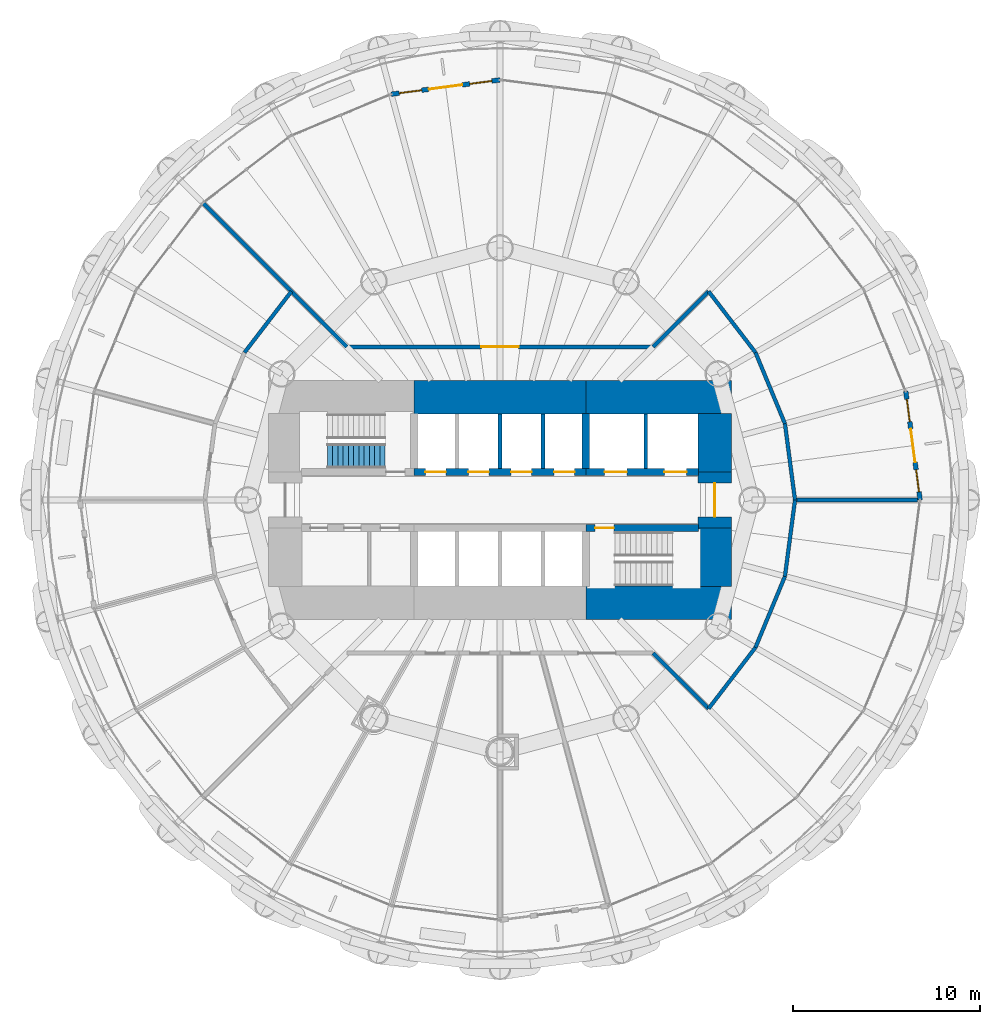
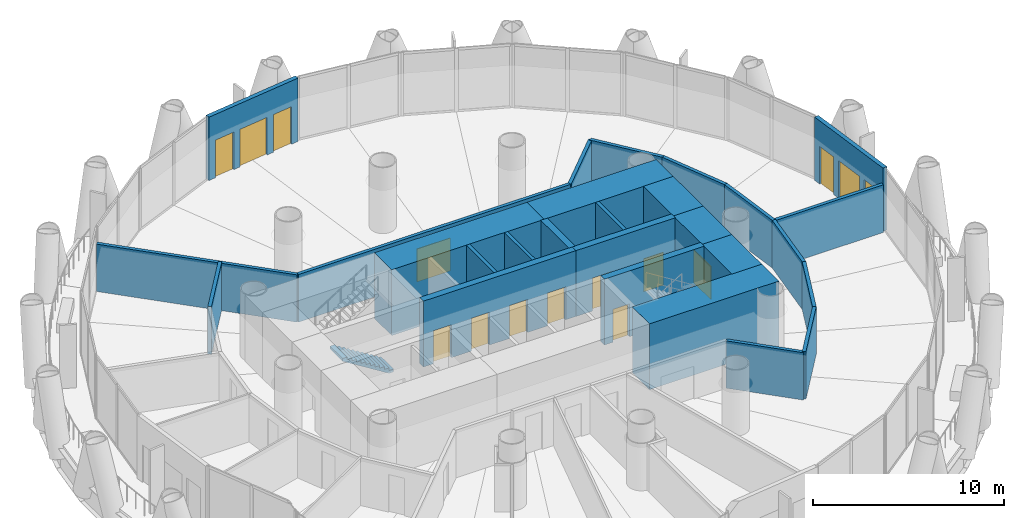
# One storey, part 11 of 16: 27 walls, 11 doors, 4 windows, 1 stair flight, 15 openings, 1 element without a shape of its own.
"""IFC4 building model written with IfcOpenShell, lengths in metres."""

from ifc_helpers import new_model, si_unit, direction, frame, frame_2d, origin, place, context, subcontext, project, spatial, polyline, rectangle, outline, extrude, material, layer, layer_set, type_object, element, fill, aggregate, save


model = new_model("IFC4")

# Units and contexts
model_context = context("Model", 3, precision=1e-05, world=origin(), true_north=direction((0.0, 1.0)))
body_context = subcontext(model_context, "Body", "Model", "MODEL_VIEW")
ifc_project = project(units=[si_unit("LENGTHUNIT", "METRE"), si_unit("AREAUNIT", "SQUARE_METRE"), si_unit("VOLUMEUNIT", "CUBIC_METRE"), si_unit("PLANEANGLEUNIT", "RADIAN"), si_unit("MASSUNIT", "GRAM", prefix="KILO")], contexts=[model_context])

# Site, building, storey
site_placement = place(None, origin())
site = spatial("IfcSite", under=ifc_project, at=site_placement, CompositionType="ELEMENT")
building_placement = place(site_placement, origin())
building = spatial("IfcBuilding", under=site, at=building_placement, Name="Qaws Media Tower", CompositionType="ELEMENT")
storey_placement = place(building_placement, frame((0.0, 0.0, 55.39990234375)))
storey = spatial("IfcBuildingStorey", under=building, at=storey_placement, Name="L11", CompositionType="ELEMENT", Elevation=55.39990234375)

# Wall, openings, door, windows
ifc_material_1 = material(Name="Precast concrete, exposed finish", Category="concrete")
ifc_layer_1 = layer(ifc_material_1, 0.25)
ifc_layer_set_1 = layer_set([ifc_layer_1], Name="Balcony door wall 250")
wall_type_1 = type_object("IfcWallType", Name="Balcony door wall 250", PredefinedType="SOLIDWALL", material=ifc_layer_set_1)
wall_1_placement = place(storey_placement, frame((82.5, 50.0, 0.0), z_axis=(0.0, 0.0, 1.0), x_axis=(-0.13051364818, 0.991446512747, 0.0)))
wall_1 = element("IfcWall", 1, at=wall_1_placement, inside=storey, type_object=wall_type_1, Name="W136 EW1 balcony door wall L11-01", PredefinedType="SOLIDWALL", context=body_context, shape_type="SweptSolid", body=[
    extrude(rectangle(XDim=5.873779296875, YDim=0.25, at=frame_2d((2.93701171875, 0.0))), origin(), (0.0, 0.0, 1.0), 4.0400390625),
])
opening_1_placement = place(wall_1_placement, frame((2.036865234375, 0.0, 0.0)))
opening_1 = element("IfcOpeningElement", 2, at=opening_1_placement, cuts=wall_1, Name="Opening D7", PredefinedType="OPENING", context=body_context, shape_type="SweptSolid", body=[
    extrude(rectangle(XDim=1.800048828125, YDim=2.39990234375, at=frame_2d((0.89990234375, 1.199951171875))), frame((0.0, 0.135009765625, 0.0), z_axis=(0.0, -1.0, 0.0), x_axis=(1.0, 0.0, 0.0)), (0.0, 0.0, 1.0), 0.27001953125),
])
opening_2_placement = place(wall_1_placement, frame((0.436767578125, 0.0, 0.0)))
opening_2 = element("IfcOpeningElement", 3, at=opening_2_placement, cuts=wall_1, Name="Opening W1", PredefinedType="OPENING", context=body_context, shape_type="SweptSolid", body=[
    extrude(rectangle(XDim=1.199951171875, YDim=2.39990234375, at=frame_2d((0.60009765625, 1.199951171875))), frame((0.0, 0.135009765625, 0.0), z_axis=(0.0, -1.0, 0.0), x_axis=(1.0, 0.0, 0.0)), (0.0, 0.0, 1.0), 0.27001953125),
])
opening_3_placement = place(wall_1_placement, frame((4.23681640625, 0.0, 0.0)))
opening_3 = element("IfcOpeningElement", 4, at=opening_3_placement, cuts=wall_1, Name="Opening W1", PredefinedType="OPENING", context=body_context, shape_type="SweptSolid", body=[
    extrude(rectangle(XDim=1.199951171875, YDim=2.39990234375, at=frame_2d((0.60009765625, 1.199951171875))), frame((0.0, 0.135009765625, 0.0), z_axis=(0.0, -1.0, 0.0), x_axis=(1.0, 0.0, 0.0)), (0.0, 0.0, 1.0), 0.27001953125),
])
ifc_material_2 = material(Name="Aluminium and clear glass", Category="aluminium")
door_type_1 = type_object("IfcDoorType", Name="Balcony door pair 1800", OperationType="DOUBLE_DOOR_SLIDING", PredefinedType="DOOR", material=ifc_material_2)
door_1_placement = place(opening_1_placement, origin())
door_1 = element("IfcDoor", 5, at=door_1_placement, inside=storey, type_object=door_type_1, Name="D7 balcony door L11-01 in wall W136", OperationType="DOUBLE_DOOR_SLIDING", OverallHeight=2.39990234375, OverallWidth=1.800048828125, PredefinedType="DOOR", context=body_context, shape_type="SweptSolid", body=[
    extrude(rectangle(XDim=1.800048828125, YDim=2.39990234375, at=frame_2d((0.89990234375, 1.199951171875))), frame((0.0, 0.02490234375, 0.0), z_axis=(0.0, -1.0, 0.0), x_axis=(1.0, 0.0, 0.0)), (0.0, 0.0, 1.0), 0.050048828125),
])
fill(opening_1, door_1)
ifc_material_3 = material(Name="Aluminium and clear glass", Category="aluminium")
window_type = type_object("IfcWindowType", Name="Balcony side window 1200", PartitioningType="SINGLE_PANEL", PredefinedType="WINDOW", material=ifc_material_3)
window_1_placement = place(opening_2_placement, origin())
window_1 = element("IfcWindow", 6, at=window_1_placement, inside=storey, type_object=window_type, Name="W1 balcony side light L11-01L", OverallHeight=2.39990234375, OverallWidth=1.199951171875, PartitioningType="SINGLE_PANEL", PredefinedType="WINDOW", context=body_context, shape_type="SweptSolid", body=[
    extrude(rectangle(XDim=1.199951171875, YDim=2.39990234375, at=frame_2d((0.60009765625, 1.199951171875))), frame((0.0, 0.030029296875, 0.0), z_axis=(0.0, -1.0, 0.0), x_axis=(1.0, 0.0, 0.0)), (0.0, 0.0, 1.0), 0.06005859375),
])
fill(opening_2, window_1)
window_2_placement = place(opening_3_placement, origin())
window_2 = element("IfcWindow", 7, at=window_2_placement, inside=storey, type_object=window_type, Name="W1 balcony side light L11-01R", OverallHeight=2.39990234375, OverallWidth=1.199951171875, PartitioningType="SINGLE_PANEL", PredefinedType="WINDOW", context=body_context, shape_type="SweptSolid", body=[
    extrude(rectangle(XDim=1.199951171875, YDim=2.39990234375, at=frame_2d((0.60009765625, 1.199951171875))), frame((0.0, 0.030029296875, 0.0), z_axis=(0.0, -1.0, 0.0), x_axis=(1.0, 0.0, 0.0)), (0.0, 0.0, 1.0), 0.06005859375),
])
fill(opening_3, window_2)

wall_2_placement = place(storey_placement, frame((60.0, 72.5, 0.0), z_axis=(0.0, 0.0, 1.0), x_axis=(-0.991446512747, -0.13051364818, 0.0)))
wall_2 = element("IfcWall", 8, at=wall_2_placement, inside=storey, type_object=wall_type_1, Name="W135 EW1 balcony door wall L11-07", PredefinedType="SOLIDWALL", context=body_context, shape_type="SweptSolid", body=[
    extrude(rectangle(XDim=5.873779296875, YDim=0.25, at=frame_2d((2.93701171875, 0.0))), origin(), (0.0, 0.0, 1.0), 4.0400390625),
])
opening_4_placement = place(wall_2_placement, frame((2.036865234375, 0.0, 0.0)))
opening_4 = element("IfcOpeningElement", 9, at=opening_4_placement, cuts=wall_2, Name="Opening D7", PredefinedType="OPENING", context=body_context, shape_type="SweptSolid", body=[
    extrude(rectangle(XDim=1.800048828125, YDim=2.39990234375, at=frame_2d((0.89990234375, 1.199951171875))), frame((0.0, 0.135009765625, 0.0), z_axis=(0.0, -1.0, 0.0), x_axis=(1.0, 0.0, 0.0)), (0.0, 0.0, 1.0), 0.27001953125),
])
opening_5_placement = place(wall_2_placement, frame((0.436767578125, 0.0, 0.0)))
opening_5 = element("IfcOpeningElement", 10, at=opening_5_placement, cuts=wall_2, Name="Opening W1", PredefinedType="OPENING", context=body_context, shape_type="SweptSolid", body=[
    extrude(rectangle(XDim=1.199951171875, YDim=2.39990234375, at=frame_2d((0.60009765625, 1.199951171875))), frame((0.0, 0.135009765625, 0.0), z_axis=(0.0, -1.0, 0.0), x_axis=(1.0, 0.0, 0.0)), (0.0, 0.0, 1.0), 0.27001953125),
])
opening_6_placement = place(wall_2_placement, frame((4.23681640625, 0.0, 0.0)))
opening_6 = element("IfcOpeningElement", 11, at=opening_6_placement, cuts=wall_2, Name="Opening W1", PredefinedType="OPENING", context=body_context, shape_type="SweptSolid", body=[
    extrude(rectangle(XDim=1.199951171875, YDim=2.39990234375, at=frame_2d((0.60009765625, 1.199951171875))), frame((0.0, 0.135009765625, 0.0), z_axis=(0.0, -1.0, 0.0), x_axis=(1.0, 0.0, 0.0)), (0.0, 0.0, 1.0), 0.27001953125),
])
door_2_placement = place(opening_4_placement, origin())
door_2 = element("IfcDoor", 12, at=door_2_placement, inside=storey, type_object=door_type_1, Name="D7 balcony door L11-07 in wall W135", OperationType="DOUBLE_DOOR_SLIDING", OverallHeight=2.39990234375, OverallWidth=1.800048828125, PredefinedType="DOOR", context=body_context, shape_type="SweptSolid", body=[
    extrude(rectangle(XDim=1.800048828125, YDim=2.39990234375, at=frame_2d((0.89990234375, 1.199951171875))), frame((0.0, 0.02490234375, 0.0), z_axis=(0.0, -1.0, 0.0), x_axis=(1.0, 0.0, 0.0)), (0.0, 0.0, 1.0), 0.050048828125),
])
fill(opening_4, door_2)
window_3_placement = place(opening_5_placement, origin())
window_3 = element("IfcWindow", 13, at=window_3_placement, inside=storey, type_object=window_type, Name="W1 balcony side light L11-07L", OverallHeight=2.39990234375, OverallWidth=1.199951171875, PartitioningType="SINGLE_PANEL", PredefinedType="WINDOW", context=body_context, shape_type="SweptSolid", body=[
    extrude(rectangle(XDim=1.199951171875, YDim=2.39990234375, at=frame_2d((0.60009765625, 1.199951171875))), frame((0.0, 0.030029296875, 0.0), z_axis=(0.0, -1.0, 0.0), x_axis=(1.0, 0.0, 0.0)), (0.0, 0.0, 1.0), 0.06005859375),
])
fill(opening_5, window_3)
window_4_placement = place(opening_6_placement, origin())
window_4 = element("IfcWindow", 14, at=window_4_placement, inside=storey, type_object=window_type, Name="W1 balcony side light L11-07R", OverallHeight=2.39990234375, OverallWidth=1.199951171875, PartitioningType="SINGLE_PANEL", PredefinedType="WINDOW", context=body_context, shape_type="SweptSolid", body=[
    extrude(rectangle(XDim=1.199951171875, YDim=2.39990234375, at=frame_2d((0.60009765625, 1.199951171875))), frame((0.0, 0.030029296875, 0.0), z_axis=(0.0, -1.0, 0.0), x_axis=(1.0, 0.0, 0.0)), (0.0, 0.0, 1.0), 0.06005859375),
])
fill(opening_6, window_4)

# Wall, openings, doors
ifc_material_4 = material(Name="Concrete C60/75", Category="concrete")
ifc_layer_2 = layer(ifc_material_4, 0.39990234375)
ifc_layer_set_2 = layer_set([ifc_layer_2], Name="Core inner wall 400")
wall_type_2 = type_object("IfcWallType", Name="Core inner wall 400", PredefinedType="SHEAR", material=ifc_layer_set_2)
wall_3_placement = place(storey_placement, frame((55.39990234375, 51.5, 0.0), z_axis=(0.0, 0.0, 1.0), x_axis=(1.0, 0.0, 0.0)))
wall_3 = element("IfcWall", 15, at=wall_3_placement, inside=storey, type_object=wall_type_2, Name="W314 SW4 core wall SPN L11", PredefinedType="SHEAR", context=body_context, shape_type="SweptSolid", body=[
    extrude(rectangle(XDim=9.2001953125, YDim=0.39990234375, at=frame_2d((4.60009765625, 0.0))), origin(), (0.0, 0.0, 1.0), 4.2001953125),
])
opening_7_placement = place(wall_3_placement, frame((0.60009765625, 0.0, 0.0)))
opening_7 = element("IfcOpeningElement", 16, at=opening_7_placement, cuts=wall_3, Name="Opening LD", PredefinedType="OPENING", context=body_context, shape_type="SweptSolid", body=[
    extrude(rectangle(XDim=1.10009765625, YDim=2.10009765625, at=frame_2d((0.550048828125, 1.050048828125))), frame((0.0, 0.2099609375, 0.0), z_axis=(0.0, -1.0, 0.0), x_axis=(1.0, 0.0, 0.0)), (0.0, 0.0, 1.0), 0.419921875),
])
opening_8_placement = place(wall_3_placement, frame((2.89990234375, 0.0, 0.0)))
opening_8 = element("IfcOpeningElement", 17, at=opening_8_placement, cuts=wall_3, Name="Opening LD", PredefinedType="OPENING", context=body_context, shape_type="SweptSolid", body=[
    extrude(rectangle(XDim=1.10009765625, YDim=2.10009765625, at=frame_2d((0.550048828125, 1.050048828125))), frame((0.0, 0.2099609375, 0.0), z_axis=(0.0, -1.0, 0.0), x_axis=(1.0, 0.0, 0.0)), (0.0, 0.0, 1.0), 0.419921875),
])
opening_9_placement = place(wall_3_placement, frame((5.199951171875, 0.0, 0.0)))
opening_9 = element("IfcOpeningElement", 18, at=opening_9_placement, cuts=wall_3, Name="Opening LD", PredefinedType="OPENING", context=body_context, shape_type="SweptSolid", body=[
    extrude(rectangle(XDim=1.10009765625, YDim=2.10009765625, at=frame_2d((0.550048828125, 1.050048828125))), frame((0.0, 0.2099609375, 0.0), z_axis=(0.0, -1.0, 0.0), x_axis=(1.0, 0.0, 0.0)), (0.0, 0.0, 1.0), 0.419921875),
])
opening_10_placement = place(wall_3_placement, frame((7.5, 0.0, 0.0)))
opening_10 = element("IfcOpeningElement", 19, at=opening_10_placement, cuts=wall_3, Name="Opening LD", PredefinedType="OPENING", context=body_context, shape_type="SweptSolid", body=[
    extrude(rectangle(XDim=1.10009765625, YDim=2.10009765625, at=frame_2d((0.550048828125, 1.050048828125))), frame((0.0, 0.2099609375, 0.0), z_axis=(0.0, -1.0, 0.0), x_axis=(1.0, 0.0, 0.0)), (0.0, 0.0, 1.0), 0.419921875),
])
ifc_material_5 = material(Name="Steel, fire rated", Category="steel")
door_type_2 = type_object("IfcDoorType", Name="Lift landing door 1100", OperationType="SLIDING_TO_LEFT", PredefinedType="DOOR", material=ifc_material_5)
door_3_placement = place(opening_7_placement, origin())
door_3 = element("IfcDoor", 20, at=door_3_placement, inside=storey, type_object=door_type_2, Name="P1 landing door L11 in wall W314", OperationType="SLIDING_TO_LEFT", OverallHeight=2.10009765625, OverallWidth=1.10009765625, PredefinedType="DOOR", context=body_context, shape_type="SweptSolid", body=[
    extrude(rectangle(XDim=1.10009765625, YDim=2.10009765625, at=frame_2d((0.550048828125, 1.050048828125))), frame((0.0, 0.02490234375, 0.0), z_axis=(0.0, -1.0, 0.0), x_axis=(1.0, 0.0, 0.0)), (0.0, 0.0, 1.0), 0.050048828125),
])
fill(opening_7, door_3)
door_4_placement = place(opening_8_placement, origin())
door_4 = element("IfcDoor", 21, at=door_4_placement, inside=storey, type_object=door_type_2, Name="P2 landing door L11 in wall W314", OperationType="SLIDING_TO_LEFT", OverallHeight=2.10009765625, OverallWidth=1.10009765625, PredefinedType="DOOR", context=body_context, shape_type="SweptSolid", body=[
    extrude(rectangle(XDim=1.10009765625, YDim=2.10009765625, at=frame_2d((0.550048828125, 1.050048828125))), frame((0.0, 0.02490234375, 0.0), z_axis=(0.0, -1.0, 0.0), x_axis=(1.0, 0.0, 0.0)), (0.0, 0.0, 1.0), 0.050048828125),
])
fill(opening_8, door_4)
door_5_placement = place(opening_9_placement, origin())
door_5 = element("IfcDoor", 22, at=door_5_placement, inside=storey, type_object=door_type_2, Name="P3 landing door L11 in wall W314", OperationType="SLIDING_TO_LEFT", OverallHeight=2.10009765625, OverallWidth=1.10009765625, PredefinedType="DOOR", context=body_context, shape_type="SweptSolid", body=[
    extrude(rectangle(XDim=1.10009765625, YDim=2.10009765625, at=frame_2d((0.550048828125, 1.050048828125))), frame((0.0, 0.02490234375, 0.0), z_axis=(0.0, -1.0, 0.0), x_axis=(1.0, 0.0, 0.0)), (0.0, 0.0, 1.0), 0.050048828125),
])
fill(opening_9, door_5)
door_6_placement = place(opening_10_placement, origin())
door_6 = element("IfcDoor", 23, at=door_6_placement, inside=storey, type_object=door_type_2, Name="P4 landing door L11 in wall W314", OperationType="SLIDING_TO_LEFT", OverallHeight=2.10009765625, OverallWidth=1.10009765625, PredefinedType="DOOR", context=body_context, shape_type="SweptSolid", body=[
    extrude(rectangle(XDim=1.10009765625, YDim=2.10009765625, at=frame_2d((0.550048828125, 1.050048828125))), frame((0.0, 0.02490234375, 0.0), z_axis=(0.0, -1.0, 0.0), x_axis=(1.0, 0.0, 0.0)), (0.0, 0.0, 1.0), 0.050048828125),
])
fill(opening_10, door_6)

wall_4_placement = place(storey_placement, frame((64.60009765625, 51.5, 0.0), z_axis=(0.0, 0.0, 1.0), x_axis=(1.0, 0.0, 0.0)))
wall_4 = element("IfcWall", 24, at=wall_4_placement, inside=storey, type_object=wall_type_2, Name="W318 SW4 core wall SPNE L11", PredefinedType="SHEAR", context=body_context, shape_type="SweptSolid", body=[
    extrude(rectangle(XDim=6.02001953125, YDim=0.39990234375, at=frame_2d((3.010009765625, 0.0))), origin(), (0.0, 0.0, 1.0), 4.2001953125),
])
opening_11_placement = place(wall_4_placement, frame((1.0, 0.0, 0.0)))
opening_11 = element("IfcOpeningElement", 25, at=opening_11_placement, cuts=wall_4, Name="Opening LD2", PredefinedType="OPENING", context=body_context, shape_type="SweptSolid", body=[
    extrude(rectangle(XDim=1.199951171875, YDim=2.10009765625, at=frame_2d((0.60009765625, 1.050048828125))), frame((0.0, 0.2099609375, 0.0), z_axis=(0.0, -1.0, 0.0), x_axis=(1.0, 0.0, 0.0)), (0.0, 0.0, 1.0), 0.419921875),
])
opening_12_placement = place(wall_4_placement, frame((4.199951171875, 0.0, 0.0)))
opening_12 = element("IfcOpeningElement", 26, at=opening_12_placement, cuts=wall_4, Name="Opening LD2", PredefinedType="OPENING", context=body_context, shape_type="SweptSolid", body=[
    extrude(rectangle(XDim=1.199951171875, YDim=2.10009765625, at=frame_2d((0.60009765625, 1.050048828125))), frame((0.0, 0.2099609375, 0.0), z_axis=(0.0, -1.0, 0.0), x_axis=(1.0, 0.0, 0.0)), (0.0, 0.0, 1.0), 0.419921875),
])
ifc_material_6 = material(Name="Steel, fire rated", Category="steel")
door_type_3 = type_object("IfcDoorType", Name="Lift landing door 1200", OperationType="SLIDING_TO_LEFT", PredefinedType="DOOR", material=ifc_material_6)
door_7_placement = place(opening_11_placement, origin())
door_7 = element("IfcDoor", 27, at=door_7_placement, inside=storey, type_object=door_type_3, Name="FL1 landing door L11 in wall W318", OperationType="SLIDING_TO_LEFT", OverallHeight=2.10009765625, OverallWidth=1.199951171875, PredefinedType="DOOR", context=body_context, shape_type="SweptSolid", body=[
    extrude(rectangle(XDim=1.199951171875, YDim=2.10009765625, at=frame_2d((0.60009765625, 1.050048828125))), frame((0.0, 0.02490234375, 0.0), z_axis=(0.0, -1.0, 0.0), x_axis=(1.0, 0.0, 0.0)), (0.0, 0.0, 1.0), 0.050048828125),
])
fill(opening_11, door_7)
door_8_placement = place(opening_12_placement, origin())
door_8 = element("IfcDoor", 28, at=door_8_placement, inside=storey, type_object=door_type_3, Name="FL2 landing door L11 in wall W318", OperationType="SLIDING_TO_LEFT", OverallHeight=2.10009765625, OverallWidth=1.199951171875, PredefinedType="DOOR", context=body_context, shape_type="SweptSolid", body=[
    extrude(rectangle(XDim=1.199951171875, YDim=2.10009765625, at=frame_2d((0.60009765625, 1.050048828125))), frame((0.0, 0.02490234375, 0.0), z_axis=(0.0, -1.0, 0.0), x_axis=(1.0, 0.0, 0.0)), (0.0, 0.0, 1.0), 0.050048828125),
])
fill(opening_12, door_8)

# Wall, opening, door
wall_5_placement = place(storey_placement, frame((64.60009765625, 48.5, 0.0), z_axis=(0.0, 0.0, 1.0), x_axis=(1.0, 0.0, 0.0)))
wall_5 = element("IfcWall", 29, at=wall_5_placement, inside=storey, type_object=wall_type_2, Name="W317 SW4 core wall SPSE L11", PredefinedType="SHEAR", context=body_context, shape_type="SweptSolid", body=[
    extrude(rectangle(XDim=6.02001953125, YDim=0.39990234375, at=frame_2d((3.010009765625, 0.0))), origin(), (0.0, 0.0, 1.0), 4.2001953125),
])
opening_13_placement = place(wall_5_placement, frame((0.5, 0.0, 0.0)))
opening_13 = element("IfcOpeningElement", 30, at=opening_13_placement, cuts=wall_5, Name="Opening D1", PredefinedType="OPENING", context=body_context, shape_type="SweptSolid", body=[
    extrude(rectangle(XDim=1.0, YDim=2.10009765625, at=frame_2d((0.5, 1.050048828125))), frame((0.0, 0.2099609375, 0.0), z_axis=(0.0, -1.0, 0.0), x_axis=(1.0, 0.0, 0.0)), (0.0, 0.0, 1.0), 0.419921875),
])
ifc_material_7 = material(Name="Steel, fire rated", Category="steel")
door_type_4 = type_object("IfcDoorType", Name="Stair door 1000 FD120", OperationType="SINGLE_SWING_LEFT", PredefinedType="DOOR", material=ifc_material_7)
door_9_placement = place(opening_13_placement, origin())
door_9 = element("IfcDoor", 31, at=door_9_placement, inside=storey, type_object=door_type_4, Name="D1 stair S2 door L11 in wall W317", OperationType="SINGLE_SWING_LEFT", OverallHeight=2.10009765625, OverallWidth=1.0, PredefinedType="DOOR", context=body_context, shape_type="SweptSolid", body=[
    extrude(rectangle(XDim=1.0, YDim=2.10009765625, at=frame_2d((0.5, 1.050048828125))), frame((0.0, 0.02490234375, 0.0), z_axis=(0.0, -1.0, 0.0), x_axis=(1.0, 0.0, 0.0)), (0.0, 0.0, 1.0), 0.050048828125),
])
fill(opening_13, door_9)

# Walls
wall_6_placement = place(storey_placement, frame((64.60009765625, 51.679931640625, 0.0), z_axis=(0.0, 0.0, 1.0), x_axis=(0.0, 1.0, 0.0)))
element("IfcWall", 32, at=wall_6_placement, inside=storey, type_object=wall_type_2, Name="W319 SW4 core wall XNE L11", PredefinedType="SHEAR", context=body_context, shape_type="SweptSolid", body=[
    extrude(rectangle(XDim=2.940185546875, YDim=0.39990234375, at=frame_2d((1.47021484375, 0.0))), origin(), (0.0, 0.0, 1.0), 4.2001953125),
])
ifc_material_8 = material(Name="Concrete C60/75", Category="concrete")
ifc_layer_3 = layer(ifc_material_8, 1.800048828125)
ifc_layer_set_3 = layer_set([ifc_layer_3], Name="Core wall 1800")
wall_type_3 = type_object("IfcWallType", Name="Core wall 1800", PredefinedType="SHEAR", material=ifc_layer_set_3)
wall_7_placement = place(storey_placement, frame((55.39990234375, 55.5, 0.0), z_axis=(0.0, 0.0, 1.0), x_axis=(1.0, 0.0, 0.0)))
element("IfcWall", 33, at=wall_7_placement, inside=storey, type_object=wall_type_3, Name="W404 SW11 core wall N L11", PredefinedType="SHEAR", context=body_context, shape_type="SweptSolid", body=[
    extrude(rectangle(XDim=9.2001953125, YDim=1.800048828125, at=frame_2d((4.60009765625, 0.0))), origin(), (0.0, 0.0, 1.0), 4.2001953125),
])
for number, where, z_axis, x_axis, name in (
    (34, (64.60009765625, 55.5, 0.0), (0.0, 0.0, 1.0), (1.0, 0.0, 0.0), "W406 SW11 core wall NE L11"),
    (35, (64.60009765625, 44.5, 0.0), (0.0, 0.0, 1.0), (1.0, 0.0, 0.0), "W405 SW11 core wall SE L11"),
):
    element("IfcWall", number, at=place(storey_placement, frame(where, z_axis=z_axis, x_axis=x_axis)), inside=storey, type_object=wall_type_3, Name=name, PredefinedType="SHEAR", context=body_context, shape_type="SweptSolid", body=[
        extrude(rectangle(XDim=7.7998046875, YDim=1.800048828125, at=frame_2d((3.89990234375, 0.0))), origin(), (0.0, 0.0, 1.0), 4.2001953125),
    ])
wall_8_placement = place(storey_placement, frame((71.5, 45.3798828125, 0.0), z_axis=(0.0, 0.0, 1.0), x_axis=(0.0, 1.0, 0.0)))
element("IfcWall", 36, at=wall_8_placement, inside=storey, type_object=wall_type_3, Name="W407 SW11 core wall ES L11", PredefinedType="SHEAR", context=body_context, shape_type="SweptSolid", body=[
    extrude(rectangle(XDim=3.1201171875, YDim=1.800048828125, at=frame_2d((1.56005859375, 0.0))), origin(), (0.0, 0.0, 1.0), 4.2001953125),
])

# Wall, opening, door
wall_9_placement = place(storey_placement, frame((71.5, 48.5, 0.0), z_axis=(0.0, 0.0, 1.0), x_axis=(0.0, 1.0, 0.0)))
wall_9 = element("IfcWall", 37, at=wall_9_placement, inside=storey, type_object=wall_type_3, Name="W408 SW11 core wall E L11", PredefinedType="SHEAR", context=body_context, shape_type="SweptSolid", body=[
    extrude(rectangle(XDim=3.0, YDim=1.800048828125, at=frame_2d((1.5, 0.0))), origin(), (0.0, 0.0, 1.0), 4.2001953125),
])
opening_14_placement = place(wall_9_placement, frame((0.60009765625, 0.0, 0.0)))
opening_14 = element("IfcOpeningElement", 38, at=opening_14_placement, cuts=wall_9, Name="Opening D2", PredefinedType="OPENING", context=body_context, shape_type="SweptSolid", body=[
    extrude(rectangle(XDim=1.800048828125, YDim=2.10009765625, at=frame_2d((0.89990234375, 1.050048828125))), frame((0.0, 0.909912109375, 0.0), z_axis=(0.0, -1.0, 0.0), x_axis=(1.0, 0.0, 0.0)), (0.0, 0.0, 1.0), 1.820068359375),
])
ifc_material_9 = material(Name="Steel and glass, fire rated", Category="steel")
door_type_5 = type_object("IfcDoorType", Name="Lobby door pair 1800 FD60", OperationType="DOUBLE_DOOR_DOUBLE_SWING", PredefinedType="DOOR", material=ifc_material_9)
door_10_placement = place(opening_14_placement, origin())
door_10 = element("IfcDoor", 39, at=door_10_placement, inside=storey, type_object=door_type_5, Name="D2 core lobby door E L11 in wall W408", OperationType="DOUBLE_DOOR_DOUBLE_SWING", OverallHeight=2.10009765625, OverallWidth=1.800048828125, PredefinedType="DOOR", context=body_context, shape_type="SweptSolid", body=[
    extrude(rectangle(XDim=1.800048828125, YDim=2.10009765625, at=frame_2d((0.89990234375, 1.050048828125))), frame((0.0, 0.02490234375, 0.0), z_axis=(0.0, -1.0, 0.0), x_axis=(1.0, 0.0, 0.0)), (0.0, 0.0, 1.0), 0.050048828125),
])
fill(opening_14, door_10)

# Walls
wall_10_placement = place(storey_placement, frame((71.5, 51.5, 0.0), z_axis=(0.0, 0.0, 1.0), x_axis=(0.0, 1.0, 0.0)))
element("IfcWall", 40, at=wall_10_placement, inside=storey, type_object=wall_type_3, Name="W409 SW11 core wall EN L11", PredefinedType="SHEAR", context=body_context, shape_type="SweptSolid", body=[
    extrude(rectangle(XDim=3.1201171875, YDim=1.800048828125, at=frame_2d((1.56005859375, 0.0))), origin(), (0.0, 0.0, 1.0), 4.2001953125),
])
ifc_material_10 = material(Name="Gypsum board on galvanised metal studs, acoustic double stud, deflection head", Category="gypsum")
ifc_layer_4 = layer(ifc_material_10, 0.199951171875)
ifc_layer_set_4 = layer_set([ifc_layer_4], Name="Room partition 200")
wall_type_4 = type_object("IfcWallType", Name="Room partition 200", PredefinedType="PARTITIONING", material=ifc_layer_set_4)
wall_11_placement = place(storey_placement, frame((46.31689453125, 57.89990234375, 0.0), z_axis=(0.0, 0.0, 1.0), x_axis=(0.608714823874, 0.793389099494, 0.0)))
element("IfcWall", 41, at=wall_11_placement, inside=storey, type_object=wall_type_4, Name="W947 IW3 partition L11", PredefinedType="PARTITIONING", context=body_context, shape_type="SweptSolid", body=[
    extrude(rectangle(XDim=4.124755859375, YDim=0.199951171875, at=frame_2d((2.0625, 0.0))), origin(), (0.0, 0.0, 1.0), 3.0400390625),
])

# Wall, opening, door
wall_12_placement = place(storey_placement, frame((51.800048828125, 58.199951171875, 0.0), z_axis=(0.0, 0.0, 1.0), x_axis=(1.0, 0.0, 0.0)))
wall_12 = element("IfcWall", 42, at=wall_12_placement, inside=storey, type_object=wall_type_4, Name="W1044 IW3 partition L11", PredefinedType="PARTITIONING", context=body_context, shape_type="SweptSolid", body=[
    extrude(rectangle(XDim=16.39990234375, YDim=0.199951171875, at=frame_2d((8.199951171875, 0.0))), origin(), (0.0, 0.0, 1.0), 3.0400390625),
])
opening_15_placement = place(wall_12_placement, frame((7.199951171875, 0.0, 0.0)))
opening_15 = element("IfcOpeningElement", 43, at=opening_15_placement, cuts=wall_12, Name="Opening D6", PredefinedType="OPENING", context=body_context, shape_type="SweptSolid", body=[
    extrude(rectangle(XDim=2.0, YDim=2.10009765625, at=frame_2d((1.0, 1.050048828125))), frame((0.0, 0.10986328125, 0.0), z_axis=(0.0, -1.0, 0.0), x_axis=(1.0, 0.0, 0.0)), (0.0, 0.0, 1.0), 0.219970703125),
])
ifc_material_11 = material(Name="Steel, acoustic, fire rated", Category="steel")
door_type_6 = type_object("IfcDoorType", Name="Room door pair 2000", OperationType="DOUBLE_DOOR_DOUBLE_SWING", PredefinedType="DOOR", material=ifc_material_11)
door_11_placement = place(opening_15_placement, origin())
door_11 = element("IfcDoor", 44, at=door_11_placement, inside=storey, type_object=door_type_6, Name="D6 Newsroom door L11 in wall W1044", OperationType="DOUBLE_DOOR_DOUBLE_SWING", OverallHeight=2.10009765625, OverallWidth=2.0, PredefinedType="DOOR", context=body_context, shape_type="SweptSolid", body=[
    extrude(rectangle(XDim=2.0, YDim=2.10009765625, at=frame_2d((1.0, 1.050048828125))), frame((0.0, 0.02490234375, 0.0), z_axis=(0.0, -1.0, 0.0), x_axis=(1.0, 0.0, 0.0)), (0.0, 0.0, 1.0), 0.050048828125),
])
fill(opening_15, door_11)

# Walls
wall_13_placement = place(storey_placement, frame((68.199951171875, 58.199951171875, 0.0), z_axis=(0.0, 0.0, 1.0), x_axis=(0.707106781187, 0.707106781187, 0.0)))
element("IfcWall", 45, at=wall_13_placement, inside=storey, type_object=wall_type_4, Name="W975 IW3 partition L11", PredefinedType="PARTITIONING", context=body_context, shape_type="SweptSolid", body=[
    extrude(rectangle(XDim=4.20361328125, YDim=0.199951171875, at=frame_2d((2.101806640625, 0.0))), origin(), (0.0, 0.0, 1.0), 3.02001953125),
])
wall_14_placement = place(storey_placement, frame((71.17236328125, 61.17236328125, 0.0), z_axis=(0.0, 0.0, 1.0), x_axis=(0.608714823874, -0.793389099494, 0.0)))
element("IfcWall", 46, at=wall_14_placement, inside=storey, type_object=wall_type_4, Name="W953 IW3 partition L11", PredefinedType="PARTITIONING", context=body_context, shape_type="SweptSolid", body=[
    extrude(rectangle(XDim=4.124755859375, YDim=0.199951171875, at=frame_2d((2.0625, 0.0))), origin(), (0.0, 0.0, 1.0), 3.0400390625),
])
wall_15_placement = place(storey_placement, frame((73.68310546875, 57.89990234375, 0.0), z_axis=(0.0, 0.0, 1.0), x_axis=(0.382731667114, -0.923859551549, 0.0)))
element("IfcWall", 47, at=wall_15_placement, inside=storey, type_object=wall_type_4, Name="W956 IW3 partition L11", PredefinedType="PARTITIONING", context=body_context, shape_type="SweptSolid", body=[
    extrude(rectangle(XDim=4.12451171875, YDim=0.199951171875, at=frame_2d((2.062255859375, 0.0))), origin(), (0.0, 0.0, 1.0), 3.0400390625),
])
for number, where, z_axis, x_axis, name in (
    (48, (75.26171875, 54.08935546875, 0.0), (0.0, 0.0, 1.0), (0.130515758099, -0.991446234996, 0.0), "W958 IW3 partition L11"),
    (49, (75.800048828125, 50.0, 0.0), (0.0, 0.0, 1.0), (-0.130515758099, -0.991446234996, 0.0), "W959 IW3 partition L11"),
):
    element("IfcWall", number, at=place(storey_placement, frame(where, z_axis=z_axis, x_axis=x_axis)), inside=storey, type_object=wall_type_4, Name=name, PredefinedType="PARTITIONING", context=body_context, shape_type="SweptSolid", body=[
        extrude(rectangle(XDim=4.124755859375, YDim=0.199951171875, at=frame_2d((2.0625, 0.0))), origin(), (0.0, 0.0, 1.0), 3.0400390625),
    ])
wall_16_placement = place(storey_placement, frame((75.26171875, 45.91064453125, 0.0), z_axis=(0.0, 0.0, 1.0), x_axis=(-0.382731667114, -0.923859551549, 0.0)))
element("IfcWall", 50, at=wall_16_placement, inside=storey, type_object=wall_type_4, Name="W957 IW3 partition L11", PredefinedType="PARTITIONING", context=body_context, shape_type="SweptSolid", body=[
    extrude(rectangle(XDim=4.12451171875, YDim=0.199951171875, at=frame_2d((2.062255859375, 0.0))), origin(), (0.0, 0.0, 1.0), 3.0400390625),
])
wall_17_placement = place(storey_placement, frame((73.68310546875, 42.10009765625, 0.0), z_axis=(0.0, 0.0, 1.0), x_axis=(-0.608714823874, -0.793389099494, 0.0)))
element("IfcWall", 51, at=wall_17_placement, inside=storey, type_object=wall_type_4, Name="W954 IW3 partition L11", PredefinedType="PARTITIONING", context=body_context, shape_type="SweptSolid", body=[
    extrude(rectangle(XDim=4.124755859375, YDim=0.199951171875, at=frame_2d((2.0625, 0.0))), origin(), (0.0, 0.0, 1.0), 3.0400390625),
])
wall_18_placement = place(storey_placement, frame((71.17236328125, 38.82763671875, 0.0), z_axis=(0.0, 0.0, 1.0), x_axis=(-0.707106781187, 0.707106781187, 0.0)))
element("IfcWall", 52, at=wall_18_placement, inside=storey, type_object=wall_type_4, Name="W1053 IW3 partition L11", PredefinedType="PARTITIONING", context=body_context, shape_type="SweptSolid", body=[
    extrude(rectangle(XDim=4.20361328125, YDim=0.199951171875, at=frame_2d((2.101806640625, 0.0))), origin(), (0.0, 0.0, 1.0), 3.02001953125),
])
wall_19_placement = place(storey_placement, frame((75.800048828125, 50.0, 0.0), z_axis=(0.0, 0.0, 1.0), x_axis=(1.0, 0.0, 0.0)))
element("IfcWall", 53, at=wall_19_placement, inside=storey, type_object=wall_type_4, Name="W1054 IW3 partition L11", PredefinedType="PARTITIONING", context=body_context, shape_type="SweptSolid", body=[
    extrude(rectangle(XDim=6.56005859375, YDim=0.199951171875, at=frame_2d((3.280029296875, 0.0))), origin(), (0.0, 0.0, 1.0), 3.0400390625),
])
wall_20_placement = place(storey_placement, frame((51.800048828125, 58.199951171875, 0.0), z_axis=(0.0, 0.0, 1.0), x_axis=(-0.707106781187, 0.707106781187, 0.0)))
element("IfcWall", 54, at=wall_20_placement, inside=storey, type_object=wall_type_4, Name="W1043 IW3 partition L11", PredefinedType="PARTITIONING", context=body_context, shape_type="SweptSolid", body=[
    extrude(rectangle(XDim=10.863525390625, YDim=0.199951171875, at=frame_2d((5.431640625, 0.0))), origin(), (0.0, 0.0, 1.0), 3.02001953125),
])
ifc_material_12 = material(Name="Fire-rated gypsum board shaft wall on galvanised metal studs, deflection head", Category="gypsum")
ifc_layer_5 = layer(ifc_material_12, 0.199951171875)
ifc_layer_set_5 = layer_set([ifc_layer_5], Name="Shaft wall 200")
wall_type_5 = type_object("IfcWallType", Name="Shaft wall 200", PredefinedType="PARTITIONING", material=ifc_layer_set_5)
for number, where, z_axis, x_axis, name in (
    (55, (60.0, 51.699951171875, 0.0), (0.0, 0.0, 1.0), (0.0, 1.0, 0.0), "W1843 IW1 shaft wall N2 L11"),
    (56, (62.300048828125, 51.699951171875, 0.0), (0.0, 0.0, 1.0), (0.0, 1.0, 0.0), "W1844 IW1 shaft wall N3 L11"),
    (57, (67.800048828125, 51.699951171875, 0.0), (0.0, 0.0, 1.0), (0.0, 1.0, 0.0), "W1845 IW1 shaft wall FL L11"),
):
    element("IfcWall", number, at=place(storey_placement, frame(where, z_axis=z_axis, x_axis=x_axis)), inside=storey, type_object=wall_type_5, Name=name, PredefinedType="PARTITIONING", context=body_context, shape_type="SweptSolid", body=[
        extrude(rectangle(XDim=2.900146484375, YDim=0.199951171875, at=frame_2d((1.4501953125, 0.0))), origin(), (0.0, 0.0, 1.0), 4.2001953125),
    ])

# Stair, stair flight
ifc_material_13 = material(Name="Concrete C40/50", Category="concrete")
stair_type = type_object("IfcStairType", Name="Exit stair", PredefinedType="HALF_TURN_STAIR", material=ifc_material_13)
stair_placement = place(storey_placement, origin())
stair = element("IfcStair", 58, at=stair_placement, inside=storey, type_object=stair_type, Name="S1 exit stair L11", PredefinedType="HALF_TURN_STAIR")
ifc_material_14 = material(Name="Concrete C40/50", Category="concrete")
stair_flight_type = type_object("IfcStairFlightType", Name="Stair flight 1310", PredefinedType="STRAIGHT", material=ifc_material_14)
stair_flight_placement = place(storey_placement, frame((53.840087890625, 52.35498046875, 0.0), z_axis=(0.0, 0.0, 1.0), x_axis=(-1.0, 0.0, 0.0)))
stair_flight = element("IfcStairFlight", 59, at=stair_flight_placement, type_object=stair_flight_type, Name="S1 flight 1", NumberOfRisers=12, NumberOfTreads=11, PredefinedType="STRAIGHT", RiserHeight=0.175, TreadLength=0.28, context=body_context, shape_type="SweptSolid", body=[
    extrude(outline(polyline([(0.0, 0.0), (0.0, 0.175048828125), (0.280029296875, 0.175048828125), (0.280029296875, 0.35009765625), (0.56005859375, 0.35009765625), (0.56005859375, 0.52490234375), (0.840087890625, 0.52490234375), (0.840087890625, 0.699951171875), (1.1201171875, 0.699951171875), (1.1201171875, 0.875), (1.39990234375, 0.875), (1.39990234375, 1.050048828125), (1.679931640625, 1.050048828125), (1.679931640625, 1.22509765625), (1.9599609375, 1.22509765625), (1.9599609375, 1.39990234375), (2.239990234375, 1.39990234375), (2.239990234375, 1.574951171875), (2.52001953125, 1.574951171875), (2.52001953125, 1.75), (2.800048828125, 1.75), (2.800048828125, 1.925048828125), (3.080078125, 1.925048828125), (3.080078125, 2.10009765625), (3.080078125, 1.748291015625), (0.28271484375, 0.0), (0.0, 0.0)])), frame((0.0, 0.655029296875, 0.0), z_axis=(0.0, -1.0, 0.0), x_axis=(1.0, 0.0, 0.0)), (0.0, 0.0, 1.0), 1.31005859375),
])
aggregate(stair, [stair_flight])

save(model, "model.ifc")
